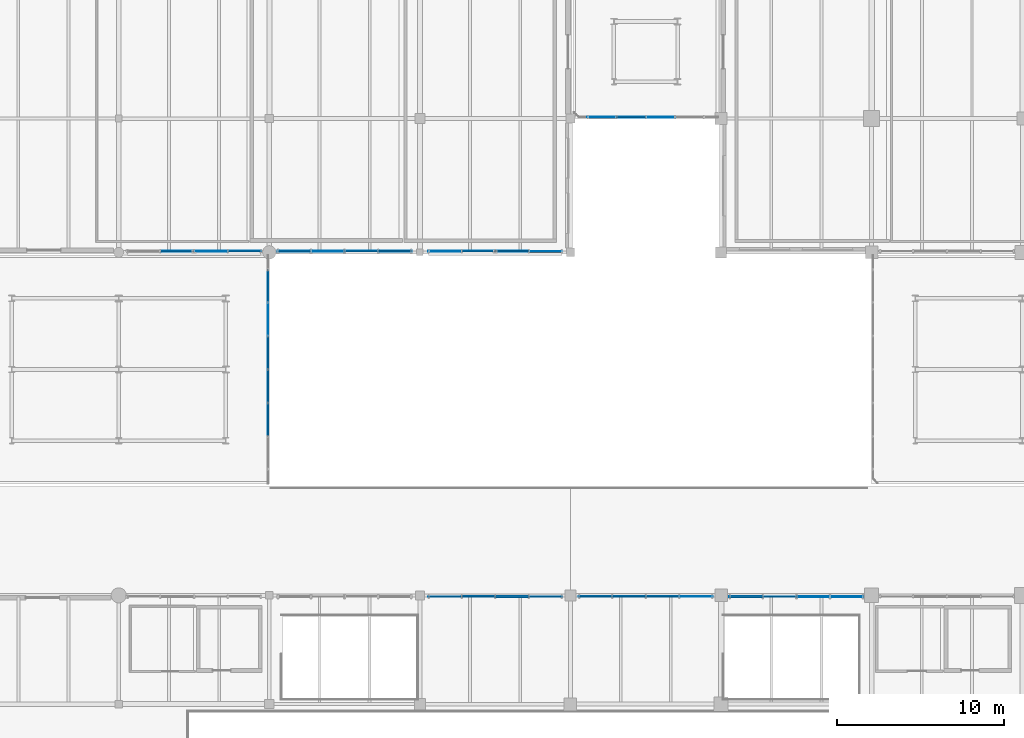
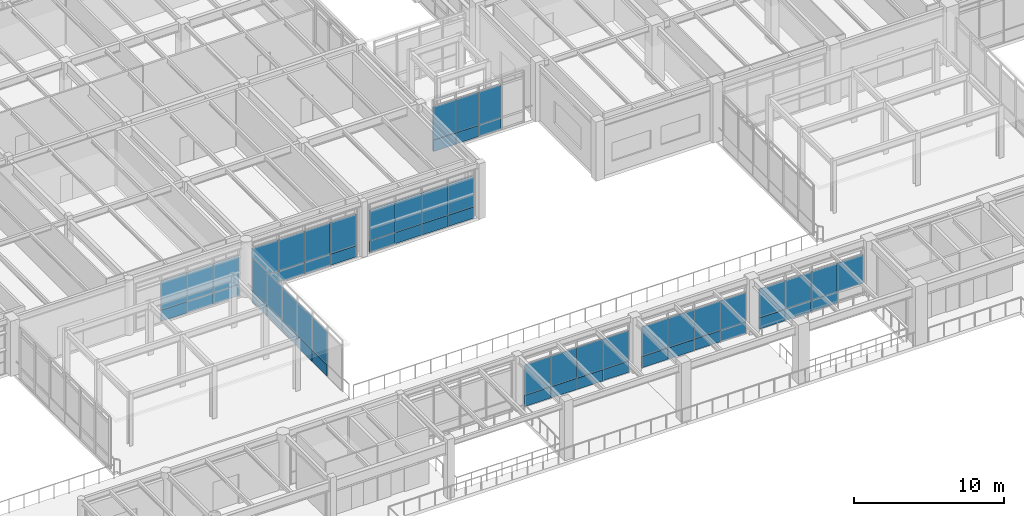
# One storey, part 160 of 200: 61 plates, 8 elements without a shape of their own.
"""IFC4 building model written with IfcOpenShell, lengths in metres."""

from ifc_helpers import new_model, si_unit, direction, frame, origin, origin_2d, place, context, subcontext, project, spatial, rectangle, extrude, material, layer, layer_set, type_object, element, aggregate, save


model = new_model("IFC4")

# Units and contexts
model_context = context("Model", 3, precision=1e-05, world=origin(), true_north=direction((0.0, 1.0)))
body_context = subcontext(model_context, "Body", "Model", "MODEL_VIEW")
ifc_project = project(units=[si_unit("LENGTHUNIT", "METRE"), si_unit("AREAUNIT", "SQUARE_METRE"), si_unit("VOLUMEUNIT", "CUBIC_METRE"), si_unit("PLANEANGLEUNIT", "RADIAN"), si_unit("MASSUNIT", "GRAM", prefix="KILO"), si_unit("THERMODYNAMICTEMPERATUREUNIT", "KELVIN"), si_unit("POWERUNIT", "WATT")], contexts=[model_context])

# Site, building, storey
site_placement = place(None, origin())
site = spatial("IfcSite", under=ifc_project, at=site_placement, CompositionType="ELEMENT")
building_placement = place(site_placement, origin())
building = spatial("IfcBuilding", under=site, at=building_placement, Name="Tepalcoro Natatorium and Aquatics Centre", CompositionType="ELEMENT")
storey_placement = place(building_placement, frame((0.0, 0.0, 5.39990234375)))
storey = spatial("IfcBuildingStorey", under=building, at=storey_placement, Name="L01", CompositionType="ELEMENT", Elevation=5.39990234375)

# Curtain wall, plate
ifc_material_1 = material(Name="Bronze-Anodised Extruded Aluminium Alloy EN AW-6063 T6", Category="aluminium")
curtain_wall_type_1 = type_object("IfcCurtainWallType", Name="CW_V1_PLINTH", PredefinedType="USERDEFINED", material=ifc_material_1)
curtain_wall_1_placement = place(storey_placement, origin())
curtain_wall_1 = element("IfcCurtainWall", 1, at=curtain_wall_1_placement, inside=storey, type_object=curtain_wall_type_1, Name="V1 L01 N Unitised Curtain Wall Bay 5", ObjectType="UNITISED STOREFRONT", PredefinedType="USERDEFINED")
ifc_material_2 = material(Name="Solar-Control Bronze Tempered Low-E Double Glazing", Category="glass")
ifc_layer_1 = layer(ifc_material_2, 0.048095703125)
ifc_layer_set_1 = layer_set([ifc_layer_1], Name="Solar-Control Bronze Tempered Low-E Double Glazing")
plate_type_1 = type_object("IfcPlateType", Name="PL_ACOUSTIC_IGU_48", PredefinedType="CURTAIN_PANEL", material=ifc_layer_set_1)
plate_1_placement = place(storey_placement, frame((85.5048828125, 65.419921875, 0.9599609375), z_axis=(0.0, 0.0, 1.0), x_axis=(1.0, 0.0, 0.0)))
plate_1 = element("IfcPlate", 2, at=plate_1_placement, type_object=plate_type_1, Name="CW_V1_PLINTH Insulated Glazing Unit", PredefinedType="CURTAIN_PANEL", context=body_context, shape_type="SweptSolid", body=[
    extrude(rectangle(XDim=1.989990234375, YDim=0.048095703125, at=origin_2d()), origin(), (0.0, 0.0, 1.0), 2.469970703125),
])

curtain_wall_type_2 = type_object("IfcCurtainWallType", Name="CW_V2_DIVING", PredefinedType="USERDEFINED", material=ifc_material_1)
curtain_wall_2_placement = place(storey_placement, origin())
curtain_wall_2 = element("IfcCurtainWall", 3, at=curtain_wall_2_placement, inside=storey, type_object=curtain_wall_type_2, Name="V1 L01 N Unitised Curtain Wall Bay 6", ObjectType="FACETED SOLAR GLAZING", PredefinedType="USERDEFINED")
plate_2_placement = place(storey_placement, frame((92.4951171875, 65.43505859375, 0.9599609375), z_axis=(0.0, 0.0, 1.0), x_axis=(1.0, 0.0, 0.0)))
plate_2 = element("IfcPlate", 4, at=plate_2_placement, type_object=plate_type_1, Name="CW_V2_DIVING Insulated Glazing Unit", PredefinedType="CURTAIN_PANEL", context=body_context, shape_type="SweptSolid", body=[
    extrude(rectangle(XDim=1.989990234375, YDim=0.048095703125, at=origin_2d()), origin(), (0.0, 0.0, 1.0), 2.39404296875),
])

# Curtain wall, plates
curtain_wall_type_3 = type_object("IfcCurtainWallType", Name="CW_V3_FOYER", PredefinedType="USERDEFINED", material=ifc_material_1)
curtain_wall_3_placement = place(storey_placement, origin())
curtain_wall_3 = element("IfcCurtainWall", 5, at=curtain_wall_3_placement, inside=storey, type_object=curtain_wall_type_3, Name="V1 L01 N Unitised Curtain Wall Bay 7", ObjectType="UNITISED STOREFRONT", PredefinedType="USERDEFINED")
plate_3_placement = place(storey_placement, frame((99.485107421875, 65.419921875, 0.9599609375), z_axis=(0.0, 0.0, 1.0), x_axis=(1.0, 0.0, 0.0)))
plate_3 = element("IfcPlate", 6, at=plate_3_placement, type_object=plate_type_1, Name="CW_V3_FOYER Insulated Glazing Unit", PredefinedType="CURTAIN_PANEL", context=body_context, shape_type="SweptSolid", body=[
    extrude(rectangle(XDim=1.989990234375, YDim=0.048095703125, at=origin_2d()), origin(), (0.0, 0.0, 1.0), 2.318115234375),
])
plate_4_placement = place(storey_placement, frame((105.514892578125, 65.419921875, 0.9599609375), z_axis=(0.0, 0.0, 1.0), x_axis=(1.0, 0.0, 0.0)))
plate_4 = element("IfcPlate", 7, at=plate_4_placement, type_object=plate_type_1, Name="CW_V3_FOYER Insulated Glazing Unit", PredefinedType="CURTAIN_PANEL", context=body_context, shape_type="SweptSolid", body=[
    extrude(rectangle(XDim=1.989990234375, YDim=0.048095703125, at=origin_2d()), origin(), (0.0, 0.0, 1.0), 2.318115234375),
])

# Curtain wall, plate
curtain_wall_type_4 = type_object("IfcCurtainWallType", Name="CW_LEAN_T1_EW", PredefinedType="USERDEFINED", material=ifc_material_1)
curtain_wall_4_placement = place(storey_placement, origin())
curtain_wall_4 = element("IfcCurtainWall", 8, at=curtain_wall_4_placement, inside=storey, type_object=curtain_wall_type_4, Name="V4 L01 S Unitised Curtain Wall Bay 7", ObjectType="FACETED SOLAR GLAZING", PredefinedType="USERDEFINED")
plate_5_placement = place(storey_placement, frame((65.4951171875, 86.0712890625, 0.960205078125), z_axis=(0.0, 0.0, 1.0), x_axis=(1.0, 0.0, 0.0)))
plate_5 = element("IfcPlate", 9, at=plate_5_placement, type_object=plate_type_1, Name="CW_LEAN_T1_EW Insulated Glazing Unit", PredefinedType="CURTAIN_PANEL", context=body_context, shape_type="SweptSolid", body=[
    extrude(rectangle(XDim=1.989990234375, YDim=0.048095703125, at=origin_2d()), origin(), (0.0, 0.0, 1.0), 2.337890625),
])

# Curtain wall, plates
curtain_wall_type_5 = type_object("IfcCurtainWallType", Name="CW_LEAN_T2_NS", PredefinedType="USERDEFINED", material=ifc_material_1)
curtain_wall_5_placement = place(storey_placement, origin())
curtain_wall_5 = element("IfcCurtainWall", 10, at=curtain_wall_5_placement, inside=storey, type_object=curtain_wall_type_5, Name="V4 L01 S Unitised Curtain Wall Bay 8", ObjectType="FACETED SOLAR GLAZING", PredefinedType="USERDEFINED")
plate_6_placement = place(storey_placement, frame((72.485107421875, 86.076171875, 0.9599609375), z_axis=(0.0, 0.0, 1.0), x_axis=(1.0, 0.0, 0.0)))
plate_6 = element("IfcPlate", 11, at=plate_6_placement, type_object=plate_type_1, Name="CW_LEAN_T2_NS Insulated Glazing Unit", PredefinedType="CURTAIN_PANEL", context=body_context, shape_type="SweptSolid", body=[
    extrude(rectangle(XDim=1.989990234375, YDim=0.048095703125, at=origin_2d()), origin(), (0.0, 0.0, 1.0), 2.537109375),
])
plate_7_placement = place(storey_placement, frame((78.514892578125, 86.076171875, 0.9599609375), z_axis=(0.0, 0.0, 1.0), x_axis=(1.0, 0.0, 0.0)))
plate_7 = element("IfcPlate", 12, at=plate_7_placement, type_object=plate_type_1, Name="CW_LEAN_T2_NS Insulated Glazing Unit", PredefinedType="CURTAIN_PANEL", context=body_context, shape_type="SweptSolid", body=[
    extrude(rectangle(XDim=1.989990234375, YDim=0.048095703125, at=origin_2d()), origin(), (0.0, 0.0, 1.0), 2.537109375),
])

# Curtain wall, plate
curtain_wall_type_6 = type_object("IfcCurtainWallType", Name="CW_LEAN_T2_EW", PredefinedType="USERDEFINED", material=ifc_material_1)
curtain_wall_6_placement = place(storey_placement, origin())
curtain_wall_6 = element("IfcCurtainWall", 13, at=curtain_wall_6_placement, inside=storey, type_object=curtain_wall_type_6, Name="V4 L01 S Unitised Curtain Wall Bay 9", ObjectType="FACETED SOLAR GLAZING", PredefinedType="USERDEFINED")
plate_8_placement = place(storey_placement, frame((85.5048828125, 86.0712890625, 0.9599609375), z_axis=(0.0, 0.0, 1.0), x_axis=(1.0, 0.0, 0.0)))
plate_8 = element("IfcPlate", 14, at=plate_8_placement, type_object=plate_type_1, Name="CW_LEAN_T2_EW Insulated Glazing Unit", PredefinedType="CURTAIN_PANEL", context=body_context, shape_type="SweptSolid", body=[
    extrude(rectangle(XDim=1.989990234375, YDim=0.048095703125, at=origin_2d()), origin(), (0.0, 0.0, 1.0), 2.489990234375),
])

# Curtain wall, plates
curtain_wall_type_7 = type_object("IfcCurtainWallType", Name="CW_LINK_150", PredefinedType="USERDEFINED", material=ifc_material_1)
curtain_wall_7_placement = place(storey_placement, origin())
curtain_wall_7 = element("IfcCurtainWall", 15, at=curtain_wall_7_placement, inside=storey, type_object=curtain_wall_type_7, Name="West Court Swimmers Arcade Glazed Wall E L01", ObjectType="UNITISED STOREFRONT", PredefinedType="USERDEFINED")
plate_9_placement = place(storey_placement, frame((70.919921875, 78.0, 0.9599609375), z_axis=(0.0, 0.0, 1.0), x_axis=(1.0, 0.0, 0.0)))
plate_9 = element("IfcPlate", 16, at=plate_9_placement, type_object=plate_type_1, Name="CW_LINK_150 Insulated Glazing Unit", PredefinedType="CURTAIN_PANEL", context=body_context, shape_type="SweptSolid", body=[
    extrude(rectangle(XDim=0.048095703125, YDim=1.97998046875, at=origin_2d()), origin(), (0.0, 0.0, 1.0), 2.679931640625),
])
plate_10_placement = place(storey_placement, frame((70.919921875, 84.0, 0.9599609375), z_axis=(0.0, 0.0, 1.0), x_axis=(1.0, 0.0, 0.0)))
plate_10 = element("IfcPlate", 17, at=plate_10_placement, type_object=plate_type_1, Name="CW_LINK_150 Insulated Glazing Unit", PredefinedType="CURTAIN_PANEL", context=body_context, shape_type="SweptSolid", body=[
    extrude(rectangle(XDim=0.048095703125, YDim=1.97998046875, at=origin_2d()), origin(), (0.0, 0.0, 1.0), 2.679931640625),
])

# Curtain wall, plate
curtain_wall_8_placement = place(storey_placement, origin())
curtain_wall_8 = element("IfcCurtainWall", 18, at=curtain_wall_8_placement, inside=storey, type_object=curtain_wall_type_7, Name="North Spine Seismic Link Glazed Wall S L01", ObjectType="UNITISED STOREFRONT", PredefinedType="USERDEFINED")
plate_11_placement = place(storey_placement, frame((92.625, 94.080078125, 0.9599609375), z_axis=(0.0, 0.0, 1.0), x_axis=(1.0, 0.0, 0.0)))
plate_11 = element("IfcPlate", 19, at=plate_11_placement, type_object=plate_type_1, Name="CW_LINK_150 Insulated Glazing Unit", PredefinedType="CURTAIN_PANEL", context=body_context, shape_type="SweptSolid", body=[
    extrude(rectangle(XDim=1.72998046875, YDim=0.048095703125, at=origin_2d()), origin(), (0.0, 0.0, 1.0), 2.679931640625),
])

# Plate
ifc_layer_2 = layer(ifc_material_2, 0.028076171875)
ifc_layer_set_2 = layer_set([ifc_layer_2], Name="Solar-Control Bronze Tempered Low-E Double Glazing")
plate_type_2 = type_object("IfcPlateType", Name="PL_BRONZE_IGU_28", PredefinedType="CURTAIN_PANEL", material=ifc_layer_set_2)
plate_12_placement = place(storey_placement, frame((83.4951171875, 65.419921875, 0.9599609375), z_axis=(0.0, 0.0, 1.0), x_axis=(1.0, 0.0, 0.0)))
plate_12 = element("IfcPlate", 20, at=plate_12_placement, type_object=plate_type_2, Name="CW_V1_PLINTH Insulated Glazing Unit", PredefinedType="CURTAIN_PANEL", context=body_context, shape_type="SweptSolid", body=[
    extrude(rectangle(XDim=1.989990234375, YDim=0.028076171875, at=origin_2d()), origin(), (0.0, 0.0, 1.0), 2.469970703125),
])

plate_13_placement = place(storey_placement, frame((90.485107421875, 65.43505859375, 0.9599609375), z_axis=(0.0, 0.0, 1.0), x_axis=(1.0, 0.0, 0.0)))
plate_13 = element("IfcPlate", 21, at=plate_13_placement, type_object=plate_type_2, Name="CW_V2_DIVING Insulated Glazing Unit", PredefinedType="CURTAIN_PANEL", context=body_context, shape_type="SweptSolid", body=[
    extrude(rectangle(XDim=1.989990234375, YDim=0.028076171875, at=origin_2d()), origin(), (0.0, 0.0, 1.0), 2.39404296875),
])

plate_14_placement = place(storey_placement, frame((96.514892578125, 65.43505859375, 0.9599609375), z_axis=(0.0, 0.0, 1.0), x_axis=(1.0, 0.0, 0.0)))
plate_14 = element("IfcPlate", 22, at=plate_14_placement, type_object=plate_type_2, Name="CW_V2_DIVING Insulated Glazing Unit", PredefinedType="CURTAIN_PANEL", context=body_context, shape_type="SweptSolid", body=[
    extrude(rectangle(XDim=1.989990234375, YDim=0.028076171875, at=origin_2d()), origin(), (0.0, 0.0, 1.0), 2.39404296875),
])

plate_15_placement = place(storey_placement, frame((103.5048828125, 65.419921875, 0.9599609375), z_axis=(0.0, 0.0, 1.0), x_axis=(1.0, 0.0, 0.0)))
plate_15 = element("IfcPlate", 23, at=plate_15_placement, type_object=plate_type_2, Name="CW_V3_FOYER Insulated Glazing Unit", PredefinedType="CURTAIN_PANEL", context=body_context, shape_type="SweptSolid", body=[
    extrude(rectangle(XDim=1.989990234375, YDim=0.028076171875, at=origin_2d()), origin(), (0.0, 0.0, 1.0), 2.318115234375),
])

plate_16_placement = place(storey_placement, frame((69.514892578125, 86.0712890625, 0.960205078125), z_axis=(0.0, 0.0, 1.0), x_axis=(1.0, 0.0, 0.0)))
plate_16 = element("IfcPlate", 24, at=plate_16_placement, type_object=plate_type_2, Name="CW_LEAN_T1_EW Insulated Glazing Unit", PredefinedType="CURTAIN_PANEL", context=body_context, shape_type="SweptSolid", body=[
    extrude(rectangle(XDim=1.989990234375, YDim=0.028076171875, at=origin_2d()), origin(), (0.0, 0.0, 1.0), 2.337890625),
])

plate_17_placement = place(storey_placement, frame((76.5048828125, 86.076171875, 0.9599609375), z_axis=(0.0, 0.0, 1.0), x_axis=(1.0, 0.0, 0.0)))
plate_17 = element("IfcPlate", 25, at=plate_17_placement, type_object=plate_type_2, Name="CW_LEAN_T2_NS Insulated Glazing Unit", PredefinedType="CURTAIN_PANEL", context=body_context, shape_type="SweptSolid", body=[
    extrude(rectangle(XDim=1.989990234375, YDim=0.028076171875, at=origin_2d()), origin(), (0.0, 0.0, 1.0), 2.537109375),
])

plate_18_placement = place(storey_placement, frame((83.4951171875, 86.0712890625, 0.9599609375), z_axis=(0.0, 0.0, 1.0), x_axis=(1.0, 0.0, 0.0)))
plate_18 = element("IfcPlate", 26, at=plate_18_placement, type_object=plate_type_2, Name="CW_LEAN_T2_EW Insulated Glazing Unit", PredefinedType="CURTAIN_PANEL", context=body_context, shape_type="SweptSolid", body=[
    extrude(rectangle(XDim=1.989990234375, YDim=0.028076171875, at=origin_2d()), origin(), (0.0, 0.0, 1.0), 2.489990234375),
])

plate_19_placement = place(storey_placement, frame((70.919921875, 76.0, 0.9599609375), z_axis=(0.0, 0.0, 1.0), x_axis=(1.0, 0.0, 0.0)))
plate_19 = element("IfcPlate", 27, at=plate_19_placement, type_object=plate_type_2, Name="CW_LINK_150 Insulated Glazing Unit", PredefinedType="CURTAIN_PANEL", context=body_context, shape_type="SweptSolid", body=[
    extrude(rectangle(XDim=0.028076171875, YDim=1.97998046875, at=origin_2d()), origin(), (0.0, 0.0, 1.0), 2.679931640625),
])

plate_20_placement = place(storey_placement, frame((70.919921875, 82.0, 0.9599609375), z_axis=(0.0, 0.0, 1.0), x_axis=(1.0, 0.0, 0.0)))
plate_20 = element("IfcPlate", 28, at=plate_20_placement, type_object=plate_type_2, Name="CW_LINK_150 Insulated Glazing Unit", PredefinedType="CURTAIN_PANEL", context=body_context, shape_type="SweptSolid", body=[
    extrude(rectangle(XDim=0.028076171875, YDim=1.97998046875, at=origin_2d()), origin(), (0.0, 0.0, 1.0), 2.679931640625),
])

plate_21_placement = place(storey_placement, frame((90.875, 94.080078125, 0.9599609375), z_axis=(0.0, 0.0, 1.0), x_axis=(1.0, 0.0, 0.0)))
plate_21 = element("IfcPlate", 29, at=plate_21_placement, type_object=plate_type_2, Name="CW_LINK_150 Insulated Glazing Unit", PredefinedType="CURTAIN_PANEL", context=body_context, shape_type="SweptSolid", body=[
    extrude(rectangle(XDim=1.72998046875, YDim=0.028076171875, at=origin_2d()), origin(), (0.0, 0.0, 1.0), 2.679931640625),
])

ifc_material_3 = material(Name="Jalisco Cantera Rosa Volcanic Tuff Ashlar Masonry", Category="masonry")
ifc_layer_3 = layer(ifc_material_3, 0.090087890625)
ifc_layer_set_3 = layer_set([ifc_layer_3], Name="Jalisco Cantera Rosa Volcanic Tuff Ashlar Masonry")
plate_type_3 = type_object("IfcPlateType", Name="PL_CANTERA_90", PredefinedType="SHEET", material=ifc_layer_set_3)
plate_22_placement = place(storey_placement, frame((83.4951171875, 65.419921875, 0.044921875), z_axis=(0.0, 0.0, 1.0), x_axis=(1.0, 0.0, 0.0)))
plate_22 = element("IfcPlate", 30, at=plate_22_placement, type_object=plate_type_3, Name="CW_V1_PLINTH Spandrel & Screen Panel", PredefinedType="SHEET", context=body_context, shape_type="SweptSolid", body=[
    extrude(rectangle(XDim=1.989990234375, YDim=0.090087890625, at=origin_2d()), origin(), (0.0, 0.0, 1.0), 0.909912109375),
])

plate_23_placement = place(storey_placement, frame((90.485107421875, 65.43505859375, 0.044921875), z_axis=(0.0, 0.0, 1.0), x_axis=(1.0, 0.0, 0.0)))
plate_23 = element("IfcPlate", 31, at=plate_23_placement, type_object=plate_type_3, Name="CW_V2_DIVING Spandrel & Screen Panel", PredefinedType="SHEET", context=body_context, shape_type="SweptSolid", body=[
    extrude(rectangle(XDim=1.989990234375, YDim=0.090087890625, at=origin_2d()), origin(), (0.0, 0.0, 1.0), 0.909912109375),
])

plate_24_placement = place(storey_placement, frame((78.514892578125, 86.076171875, 0.044921875), z_axis=(0.0, 0.0, 1.0), x_axis=(1.0, 0.0, 0.0)))
plate_24 = element("IfcPlate", 32, at=plate_24_placement, type_object=plate_type_3, Name="CW_LEAN_T2_NS Spandrel & Screen Panel", PredefinedType="SHEET", context=body_context, shape_type="SweptSolid", body=[
    extrude(rectangle(XDim=1.989990234375, YDim=0.090087890625, at=origin_2d()), origin(), (0.0, 0.0, 1.0), 0.909912109375),
])

plate_25_placement = place(storey_placement, frame((85.5048828125, 86.0712890625, 0.044921875), z_axis=(0.0, 0.0, 1.0), x_axis=(1.0, 0.0, 0.0)))
plate_25 = element("IfcPlate", 33, at=plate_25_placement, type_object=plate_type_3, Name="CW_LEAN_T2_EW Spandrel & Screen Panel", PredefinedType="SHEET", context=body_context, shape_type="SweptSolid", body=[
    extrude(rectangle(XDim=1.989990234375, YDim=0.090087890625, at=origin_2d()), origin(), (0.0, 0.0, 1.0), 0.909912109375),
])

plate_26_placement = place(storey_placement, frame((70.919921875, 76.0, 0.044921875), z_axis=(0.0, 0.0, 1.0), x_axis=(1.0, 0.0, 0.0)))
plate_26 = element("IfcPlate", 34, at=plate_26_placement, type_object=plate_type_3, Name="CW_LINK_150 Spandrel & Screen Panel", PredefinedType="SHEET", context=body_context, shape_type="SweptSolid", body=[
    extrude(rectangle(XDim=0.090087890625, YDim=1.97998046875, at=origin_2d()), origin(), (0.0, 0.0, 1.0), 0.909912109375),
])

ifc_material_4 = material(Name="Clear Tempered Low-E Safety Glazing", Category="glass")
ifc_layer_4 = layer(ifc_material_4, 0.011962890625)
ifc_layer_set_4 = layer_set([ifc_layer_4], Name="Clear Tempered Low-E Safety Glazing")
plate_type_4 = type_object("IfcPlateType", Name="PL_GLASS_12", PredefinedType="CURTAIN_PANEL", material=ifc_layer_set_4)
plate_27_placement = place(storey_placement, frame((81.485107421875, 65.419921875, 0.9599609375), z_axis=(0.0, 0.0, 1.0), x_axis=(1.0, 0.0, 0.0)))
plate_27 = element("IfcPlate", 35, at=plate_27_placement, type_object=plate_type_4, Name="CW_V1_PLINTH Insulated Glazing Unit", PredefinedType="CURTAIN_PANEL", context=body_context, shape_type="SweptSolid", body=[
    extrude(rectangle(XDim=1.989990234375, YDim=0.011962890625, at=origin_2d()), origin(), (0.0, 0.0, 1.0), 2.469970703125),
])

plate_28_placement = place(storey_placement, frame((87.514892578125, 65.419921875, 0.9599609375), z_axis=(0.0, 0.0, 1.0), x_axis=(1.0, 0.0, 0.0)))
plate_28 = element("IfcPlate", 36, at=plate_28_placement, type_object=plate_type_4, Name="CW_V1_PLINTH Insulated Glazing Unit", PredefinedType="CURTAIN_PANEL", context=body_context, shape_type="SweptSolid", body=[
    extrude(rectangle(XDim=1.989990234375, YDim=0.011962890625, at=origin_2d()), origin(), (0.0, 0.0, 1.0), 2.469970703125),
])

plate_29_placement = place(storey_placement, frame((94.5048828125, 65.43505859375, 0.9599609375), z_axis=(0.0, 0.0, 1.0), x_axis=(1.0, 0.0, 0.0)))
plate_29 = element("IfcPlate", 37, at=plate_29_placement, type_object=plate_type_4, Name="CW_V2_DIVING Insulated Glazing Unit", PredefinedType="CURTAIN_PANEL", context=body_context, shape_type="SweptSolid", body=[
    extrude(rectangle(XDim=1.989990234375, YDim=0.011962890625, at=origin_2d()), origin(), (0.0, 0.0, 1.0), 2.39404296875),
])

plate_30_placement = place(storey_placement, frame((101.4951171875, 65.419921875, 0.9599609375), z_axis=(0.0, 0.0, 1.0), x_axis=(1.0, 0.0, 0.0)))
plate_30 = element("IfcPlate", 38, at=plate_30_placement, type_object=plate_type_4, Name="CW_V3_FOYER Insulated Glazing Unit", PredefinedType="CURTAIN_PANEL", context=body_context, shape_type="SweptSolid", body=[
    extrude(rectangle(XDim=1.989990234375, YDim=0.011962890625, at=origin_2d()), origin(), (0.0, 0.0, 1.0), 2.318115234375),
])

plate_31_placement = place(storey_placement, frame((67.5048828125, 86.0712890625, 0.960205078125), z_axis=(0.0, 0.0, 1.0), x_axis=(1.0, 0.0, 0.0)))
plate_31 = element("IfcPlate", 39, at=plate_31_placement, type_object=plate_type_4, Name="CW_LEAN_T1_EW Insulated Glazing Unit", PredefinedType="CURTAIN_PANEL", context=body_context, shape_type="SweptSolid", body=[
    extrude(rectangle(XDim=1.989990234375, YDim=0.011962890625, at=origin_2d()), origin(), (0.0, 0.0, 1.0), 2.337890625),
])

plate_32_placement = place(storey_placement, frame((74.4951171875, 86.076171875, 0.9599609375), z_axis=(0.0, 0.0, 1.0), x_axis=(1.0, 0.0, 0.0)))
plate_32 = element("IfcPlate", 40, at=plate_32_placement, type_object=plate_type_4, Name="CW_LEAN_T2_NS Insulated Glazing Unit", PredefinedType="CURTAIN_PANEL", context=body_context, shape_type="SweptSolid", body=[
    extrude(rectangle(XDim=1.989990234375, YDim=0.011962890625, at=origin_2d()), origin(), (0.0, 0.0, 1.0), 2.537109375),
])

plate_33_placement = place(storey_placement, frame((81.485107421875, 86.0712890625, 0.9599609375), z_axis=(0.0, 0.0, 1.0), x_axis=(1.0, 0.0, 0.0)))
plate_33 = element("IfcPlate", 41, at=plate_33_placement, type_object=plate_type_4, Name="CW_LEAN_T2_EW Insulated Glazing Unit", PredefinedType="CURTAIN_PANEL", context=body_context, shape_type="SweptSolid", body=[
    extrude(rectangle(XDim=1.989990234375, YDim=0.011962890625, at=origin_2d()), origin(), (0.0, 0.0, 1.0), 2.489990234375),
])

plate_34_placement = place(storey_placement, frame((87.514892578125, 86.0712890625, 0.9599609375), z_axis=(0.0, 0.0, 1.0), x_axis=(1.0, 0.0, 0.0)))
plate_34 = element("IfcPlate", 42, at=plate_34_placement, type_object=plate_type_4, Name="CW_LEAN_T2_EW Insulated Glazing Unit", PredefinedType="CURTAIN_PANEL", context=body_context, shape_type="SweptSolid", body=[
    extrude(rectangle(XDim=1.989990234375, YDim=0.011962890625, at=origin_2d()), origin(), (0.0, 0.0, 1.0), 2.489990234375),
])

plate_35_placement = place(storey_placement, frame((70.919921875, 80.0, 0.9599609375), z_axis=(0.0, 0.0, 1.0), x_axis=(1.0, 0.0, 0.0)))
plate_35 = element("IfcPlate", 43, at=plate_35_placement, type_object=plate_type_4, Name="CW_LINK_150 Insulated Glazing Unit", PredefinedType="CURTAIN_PANEL", context=body_context, shape_type="SweptSolid", body=[
    extrude(rectangle(XDim=0.011962890625, YDim=1.97998046875, at=origin_2d()), origin(), (0.0, 0.0, 1.0), 2.679931640625),
])

plate_36_placement = place(storey_placement, frame((94.375, 94.080078125, 0.9599609375), z_axis=(0.0, 0.0, 1.0), x_axis=(1.0, 0.0, 0.0)))
plate_36 = element("IfcPlate", 44, at=plate_36_placement, type_object=plate_type_4, Name="CW_LINK_150 Insulated Glazing Unit", PredefinedType="CURTAIN_PANEL", context=body_context, shape_type="SweptSolid", body=[
    extrude(rectangle(XDim=1.72998046875, YDim=0.011962890625, at=origin_2d()), origin(), (0.0, 0.0, 1.0), 2.679931640625),
])

ifc_material_5 = material(Name="Volcanic Recinto Basalt Ashlar Masonry", Category="masonry")
ifc_layer_5 = layer(ifc_material_5, 0.110107421875)
ifc_layer_set_5 = layer_set([ifc_layer_5], Name="Volcanic Recinto Basalt Ashlar Masonry")
plate_type_5 = type_object("IfcPlateType", Name="PL_RECINTO_110", PredefinedType="SHEET", material=ifc_layer_set_5)
plate_37_placement = place(storey_placement, frame((85.5048828125, 65.419921875, 0.044921875), z_axis=(0.0, 0.0, 1.0), x_axis=(1.0, 0.0, 0.0)))
plate_37 = element("IfcPlate", 45, at=plate_37_placement, type_object=plate_type_5, Name="CW_V1_PLINTH Spandrel & Screen Panel", PredefinedType="SHEET", context=body_context, shape_type="SweptSolid", body=[
    extrude(rectangle(XDim=1.989990234375, YDim=0.110107421875, at=origin_2d()), origin(), (0.0, 0.0, 1.0), 0.909912109375),
])

plate_38_placement = place(storey_placement, frame((92.4951171875, 65.43505859375, 0.044921875), z_axis=(0.0, 0.0, 1.0), x_axis=(1.0, 0.0, 0.0)))
plate_38 = element("IfcPlate", 46, at=plate_38_placement, type_object=plate_type_5, Name="CW_V2_DIVING Spandrel & Screen Panel", PredefinedType="SHEET", context=body_context, shape_type="SweptSolid", body=[
    extrude(rectangle(XDim=1.989990234375, YDim=0.110107421875, at=origin_2d()), origin(), (0.0, 0.0, 1.0), 0.909912109375),
])

plate_39_placement = place(storey_placement, frame((99.485107421875, 65.419921875, 0.044921875), z_axis=(0.0, 0.0, 1.0), x_axis=(1.0, 0.0, 0.0)))
plate_39 = element("IfcPlate", 47, at=plate_39_placement, type_object=plate_type_5, Name="CW_V3_FOYER Spandrel & Screen Panel", PredefinedType="SHEET", context=body_context, shape_type="SweptSolid", body=[
    extrude(rectangle(XDim=1.989990234375, YDim=0.110107421875, at=origin_2d()), origin(), (0.0, 0.0, 1.0), 0.909912109375),
])

plate_40_placement = place(storey_placement, frame((87.514892578125, 86.0712890625, 0.044921875), z_axis=(0.0, 0.0, 1.0), x_axis=(1.0, 0.0, 0.0)))
plate_40 = element("IfcPlate", 48, at=plate_40_placement, type_object=plate_type_5, Name="CW_LEAN_T2_EW Spandrel & Screen Panel", PredefinedType="SHEET", context=body_context, shape_type="SweptSolid", body=[
    extrude(rectangle(XDim=1.989990234375, YDim=0.110107421875, at=origin_2d()), origin(), (0.0, 0.0, 1.0), 0.909912109375),
])

plate_41_placement = place(storey_placement, frame((70.919921875, 78.0, 0.044921875), z_axis=(0.0, 0.0, 1.0), x_axis=(1.0, 0.0, 0.0)))
plate_41 = element("IfcPlate", 49, at=plate_41_placement, type_object=plate_type_5, Name="CW_LINK_150 Spandrel & Screen Panel", PredefinedType="SHEET", context=body_context, shape_type="SweptSolid", body=[
    extrude(rectangle(XDim=0.110107421875, YDim=1.97998046875, at=origin_2d()), origin(), (0.0, 0.0, 1.0), 0.909912109375),
])

plate_42_placement = place(storey_placement, frame((90.875, 94.080078125, 0.044921875), z_axis=(0.0, 0.0, 1.0), x_axis=(1.0, 0.0, 0.0)))
plate_42 = element("IfcPlate", 50, at=plate_42_placement, type_object=plate_type_5, Name="CW_LINK_150 Spandrel & Screen Panel", PredefinedType="SHEET", context=body_context, shape_type="SweptSolid", body=[
    extrude(rectangle(XDim=1.72998046875, YDim=0.110107421875, at=origin_2d()), origin(), (0.0, 0.0, 1.0), 0.909912109375),
])

ifc_layer_6 = layer(ifc_material_1, 0.050048828125)
ifc_layer_set_6 = layer_set([ifc_layer_6], Name="Bronze-Anodised Extruded Aluminium Alloy EN AW-6063 T6")
plate_type_6 = type_object("IfcPlateType", Name="PL_SCREEN_50", PredefinedType="SHEET", material=ifc_layer_set_6)
plate_43_placement = place(storey_placement, frame((96.514892578125, 65.43505859375, 0.044921875), z_axis=(0.0, 0.0, 1.0), x_axis=(1.0, 0.0, 0.0)))
plate_43 = element("IfcPlate", 51, at=plate_43_placement, type_object=plate_type_6, Name="CW_V2_DIVING Spandrel & Screen Panel", PredefinedType="SHEET", context=body_context, shape_type="SweptSolid", body=[
    extrude(rectangle(XDim=1.989990234375, YDim=0.050048828125, at=origin_2d()), origin(), (0.0, 0.0, 1.0), 0.909912109375),
])

plate_44_placement = place(storey_placement, frame((103.5048828125, 65.419921875, 0.044921875), z_axis=(0.0, 0.0, 1.0), x_axis=(1.0, 0.0, 0.0)))
plate_44 = element("IfcPlate", 52, at=plate_44_placement, type_object=plate_type_6, Name="CW_V3_FOYER Spandrel & Screen Panel", PredefinedType="SHEET", context=body_context, shape_type="SweptSolid", body=[
    extrude(rectangle(XDim=1.989990234375, YDim=0.050048828125, at=origin_2d()), origin(), (0.0, 0.0, 1.0), 0.909912109375),
])

plate_45_placement = place(storey_placement, frame((67.5048828125, 86.0712890625, 0.044921875), z_axis=(0.0, 0.0, 1.0), x_axis=(1.0, 0.0, 0.0)))
plate_45 = element("IfcPlate", 53, at=plate_45_placement, type_object=plate_type_6, Name="CW_LEAN_T1_EW Spandrel & Screen Panel", PredefinedType="SHEET", context=body_context, shape_type="SweptSolid", body=[
    extrude(rectangle(XDim=1.989990234375, YDim=0.050048828125, at=origin_2d()), origin(), (0.0, 0.0, 1.0), 0.909912109375),
])

plate_46_placement = place(storey_placement, frame((74.4951171875, 86.076171875, 0.044921875), z_axis=(0.0, 0.0, 1.0), x_axis=(1.0, 0.0, 0.0)))
plate_46 = element("IfcPlate", 54, at=plate_46_placement, type_object=plate_type_6, Name="CW_LEAN_T2_NS Spandrel & Screen Panel", PredefinedType="SHEET", context=body_context, shape_type="SweptSolid", body=[
    extrude(rectangle(XDim=1.989990234375, YDim=0.050048828125, at=origin_2d()), origin(), (0.0, 0.0, 1.0), 0.909912109375),
])

plate_47_placement = place(storey_placement, frame((81.485107421875, 86.0712890625, 0.044921875), z_axis=(0.0, 0.0, 1.0), x_axis=(1.0, 0.0, 0.0)))
plate_47 = element("IfcPlate", 55, at=plate_47_placement, type_object=plate_type_6, Name="CW_LEAN_T2_EW Spandrel & Screen Panel", PredefinedType="SHEET", context=body_context, shape_type="SweptSolid", body=[
    extrude(rectangle(XDim=1.989990234375, YDim=0.050048828125, at=origin_2d()), origin(), (0.0, 0.0, 1.0), 0.909912109375),
])

plate_48_placement = place(storey_placement, frame((70.919921875, 82.0, 0.044921875), z_axis=(0.0, 0.0, 1.0), x_axis=(1.0, 0.0, 0.0)))
plate_48 = element("IfcPlate", 56, at=plate_48_placement, type_object=plate_type_6, Name="CW_LINK_150 Spandrel & Screen Panel", PredefinedType="SHEET", context=body_context, shape_type="SweptSolid", body=[
    extrude(rectangle(XDim=0.050048828125, YDim=1.97998046875, at=origin_2d()), origin(), (0.0, 0.0, 1.0), 0.909912109375),
])

plate_49_placement = place(storey_placement, frame((94.375, 94.080078125, 0.044921875), z_axis=(0.0, 0.0, 1.0), x_axis=(1.0, 0.0, 0.0)))
plate_49 = element("IfcPlate", 57, at=plate_49_placement, type_object=plate_type_6, Name="CW_LINK_150 Spandrel & Screen Panel", PredefinedType="SHEET", context=body_context, shape_type="SweptSolid", body=[
    extrude(rectangle(XDim=1.72998046875, YDim=0.050048828125, at=origin_2d()), origin(), (0.0, 0.0, 1.0), 0.909912109375),
])

ifc_layer_7 = layer(ifc_material_1, 0.06005859375)
ifc_layer_set_7 = layer_set([ifc_layer_7], Name="Bronze-Anodised Extruded Aluminium Alloy EN AW-6063 T6")
plate_type_7 = type_object("IfcPlateType", Name="PL_SCREEN_60", PredefinedType="SHEET", material=ifc_layer_set_7)
plate_50_placement = place(storey_placement, frame((81.485107421875, 65.419921875, 0.044921875), z_axis=(0.0, 0.0, 1.0), x_axis=(1.0, 0.0, 0.0)))
plate_50 = element("IfcPlate", 58, at=plate_50_placement, type_object=plate_type_7, Name="CW_V1_PLINTH Spandrel & Screen Panel", PredefinedType="SHEET", context=body_context, shape_type="SweptSolid", body=[
    extrude(rectangle(XDim=1.989990234375, YDim=0.06005859375, at=origin_2d()), origin(), (0.0, 0.0, 1.0), 0.909912109375),
])

plate_51_placement = place(storey_placement, frame((69.514892578125, 86.0712890625, 0.044921875), z_axis=(0.0, 0.0, 1.0), x_axis=(1.0, 0.0, 0.0)))
plate_51 = element("IfcPlate", 59, at=plate_51_placement, type_object=plate_type_7, Name="CW_LEAN_T1_EW Spandrel & Screen Panel", PredefinedType="SHEET", context=body_context, shape_type="SweptSolid", body=[
    extrude(rectangle(XDim=1.989990234375, YDim=0.06005859375, at=origin_2d()), origin(), (0.0, 0.0, 1.0), 0.909912109375),
])

plate_52_placement = place(storey_placement, frame((76.5048828125, 86.076171875, 0.044921875), z_axis=(0.0, 0.0, 1.0), x_axis=(1.0, 0.0, 0.0)))
plate_52 = element("IfcPlate", 60, at=plate_52_placement, type_object=plate_type_7, Name="CW_LEAN_T2_NS Spandrel & Screen Panel", PredefinedType="SHEET", context=body_context, shape_type="SweptSolid", body=[
    extrude(rectangle(XDim=1.989990234375, YDim=0.06005859375, at=origin_2d()), origin(), (0.0, 0.0, 1.0), 0.909912109375),
])

plate_53_placement = place(storey_placement, frame((83.4951171875, 86.0712890625, 0.044921875), z_axis=(0.0, 0.0, 1.0), x_axis=(1.0, 0.0, 0.0)))
plate_53 = element("IfcPlate", 61, at=plate_53_placement, type_object=plate_type_7, Name="CW_LEAN_T2_EW Spandrel & Screen Panel", PredefinedType="SHEET", context=body_context, shape_type="SweptSolid", body=[
    extrude(rectangle(XDim=1.989990234375, YDim=0.06005859375, at=origin_2d()), origin(), (0.0, 0.0, 1.0), 0.909912109375),
])

aggregate(curtain_wall_6, [plate_33, plate_47, plate_18, plate_53, plate_8, plate_25, plate_34, plate_40])

plate_54_placement = place(storey_placement, frame((70.919921875, 84.0, 0.044921875), z_axis=(0.0, 0.0, 1.0), x_axis=(1.0, 0.0, 0.0)))
plate_54 = element("IfcPlate", 62, at=plate_54_placement, type_object=plate_type_7, Name="CW_LINK_150 Spandrel & Screen Panel", PredefinedType="SHEET", context=body_context, shape_type="SweptSolid", body=[
    extrude(rectangle(XDim=0.06005859375, YDim=1.97998046875, at=origin_2d()), origin(), (0.0, 0.0, 1.0), 0.909912109375),
])

ifc_material_6 = material(Name="Insulated Bronze Anodised Aluminium Spandrel Panel", Category="aluminium")
ifc_layer_8 = layer(ifc_material_6, 0.070068359375)
ifc_layer_set_8 = layer_set([ifc_layer_8], Name="Insulated Bronze Anodised Aluminium Spandrel Panel")
plate_type_8 = type_object("IfcPlateType", Name="PL_SPANDREL_70", PredefinedType="CURTAIN_PANEL", material=ifc_layer_set_8)
plate_55_placement = place(storey_placement, frame((87.514892578125, 65.419921875, 0.044921875), z_axis=(0.0, 0.0, 1.0), x_axis=(1.0, 0.0, 0.0)))
plate_55 = element("IfcPlate", 63, at=plate_55_placement, type_object=plate_type_8, Name="CW_V1_PLINTH Spandrel & Screen Panel", PredefinedType="CURTAIN_PANEL", context=body_context, shape_type="SweptSolid", body=[
    extrude(rectangle(XDim=1.989990234375, YDim=0.070068359375, at=origin_2d()), origin(), (0.0, 0.0, 1.0), 0.909912109375),
])

aggregate(curtain_wall_1, [plate_27, plate_50, plate_12, plate_22, plate_1, plate_37, plate_28, plate_55])

plate_56_placement = place(storey_placement, frame((94.5048828125, 65.43505859375, 0.044921875), z_axis=(0.0, 0.0, 1.0), x_axis=(1.0, 0.0, 0.0)))
plate_56 = element("IfcPlate", 64, at=plate_56_placement, type_object=plate_type_8, Name="CW_V2_DIVING Spandrel & Screen Panel", PredefinedType="CURTAIN_PANEL", context=body_context, shape_type="SweptSolid", body=[
    extrude(rectangle(XDim=1.989990234375, YDim=0.070068359375, at=origin_2d()), origin(), (0.0, 0.0, 1.0), 0.909912109375),
])

aggregate(curtain_wall_2, [plate_13, plate_23, plate_2, plate_38, plate_29, plate_56, plate_14, plate_43])

plate_57_placement = place(storey_placement, frame((101.4951171875, 65.419921875, 0.044921875), z_axis=(0.0, 0.0, 1.0), x_axis=(1.0, 0.0, 0.0)))
plate_57 = element("IfcPlate", 65, at=plate_57_placement, type_object=plate_type_8, Name="CW_V3_FOYER Spandrel & Screen Panel", PredefinedType="CURTAIN_PANEL", context=body_context, shape_type="SweptSolid", body=[
    extrude(rectangle(XDim=1.989990234375, YDim=0.070068359375, at=origin_2d()), origin(), (0.0, 0.0, 1.0), 0.909912109375),
])

aggregate(curtain_wall_3, [plate_3, plate_39, plate_30, plate_57, plate_15, plate_44, plate_4])

plate_58_placement = place(storey_placement, frame((65.4951171875, 86.0712890625, 0.044921875), z_axis=(0.0, 0.0, 1.0), x_axis=(1.0, 0.0, 0.0)))
plate_58 = element("IfcPlate", 66, at=plate_58_placement, type_object=plate_type_8, Name="CW_LEAN_T1_EW Spandrel & Screen Panel", PredefinedType="CURTAIN_PANEL", context=body_context, shape_type="SweptSolid", body=[
    extrude(rectangle(XDim=1.989990234375, YDim=0.070068359375, at=origin_2d()), origin(), (0.0, 0.0, 1.0), 0.909912109375),
])

aggregate(curtain_wall_4, [plate_5, plate_58, plate_31, plate_45, plate_16, plate_51])

plate_59_placement = place(storey_placement, frame((72.485107421875, 86.076171875, 0.044921875), z_axis=(0.0, 0.0, 1.0), x_axis=(1.0, 0.0, 0.0)))
plate_59 = element("IfcPlate", 67, at=plate_59_placement, type_object=plate_type_8, Name="CW_LEAN_T2_NS Spandrel & Screen Panel", PredefinedType="CURTAIN_PANEL", context=body_context, shape_type="SweptSolid", body=[
    extrude(rectangle(XDim=1.989990234375, YDim=0.070068359375, at=origin_2d()), origin(), (0.0, 0.0, 1.0), 0.909912109375),
])

aggregate(curtain_wall_5, [plate_6, plate_59, plate_32, plate_46, plate_17, plate_52, plate_7, plate_24])

plate_60_placement = place(storey_placement, frame((70.919921875, 80.0, 0.044921875), z_axis=(0.0, 0.0, 1.0), x_axis=(1.0, 0.0, 0.0)))
plate_60 = element("IfcPlate", 68, at=plate_60_placement, type_object=plate_type_8, Name="CW_LINK_150 Spandrel & Screen Panel", PredefinedType="CURTAIN_PANEL", context=body_context, shape_type="SweptSolid", body=[
    extrude(rectangle(XDim=0.070068359375, YDim=1.97998046875, at=origin_2d()), origin(), (0.0, 0.0, 1.0), 0.909912109375),
])

aggregate(curtain_wall_7, [plate_19, plate_26, plate_9, plate_41, plate_35, plate_60, plate_20, plate_48, plate_10, plate_54])

plate_61_placement = place(storey_placement, frame((92.625, 94.080078125, 0.044921875), z_axis=(0.0, 0.0, 1.0), x_axis=(1.0, 0.0, 0.0)))
plate_61 = element("IfcPlate", 69, at=plate_61_placement, type_object=plate_type_8, Name="CW_LINK_150 Spandrel & Screen Panel", PredefinedType="CURTAIN_PANEL", context=body_context, shape_type="SweptSolid", body=[
    extrude(rectangle(XDim=1.72998046875, YDim=0.070068359375, at=origin_2d()), origin(), (0.0, 0.0, 1.0), 0.909912109375),
])

aggregate(curtain_wall_8, [plate_21, plate_42, plate_11, plate_61, plate_36, plate_49])

save(model, "model.ifc")
